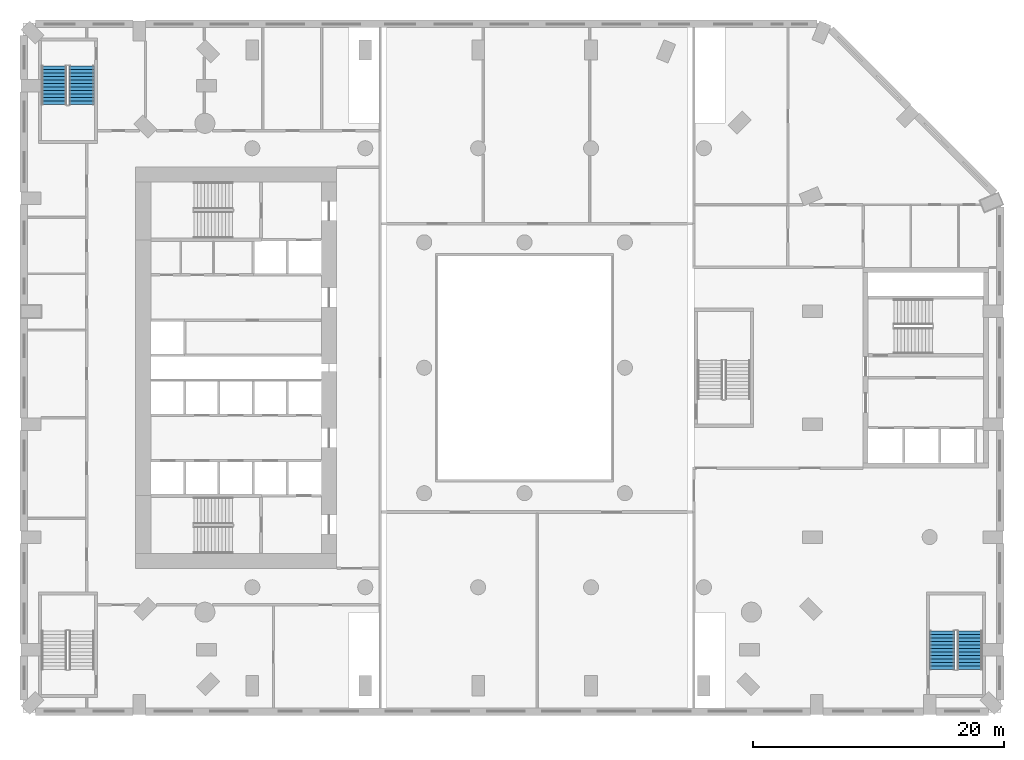
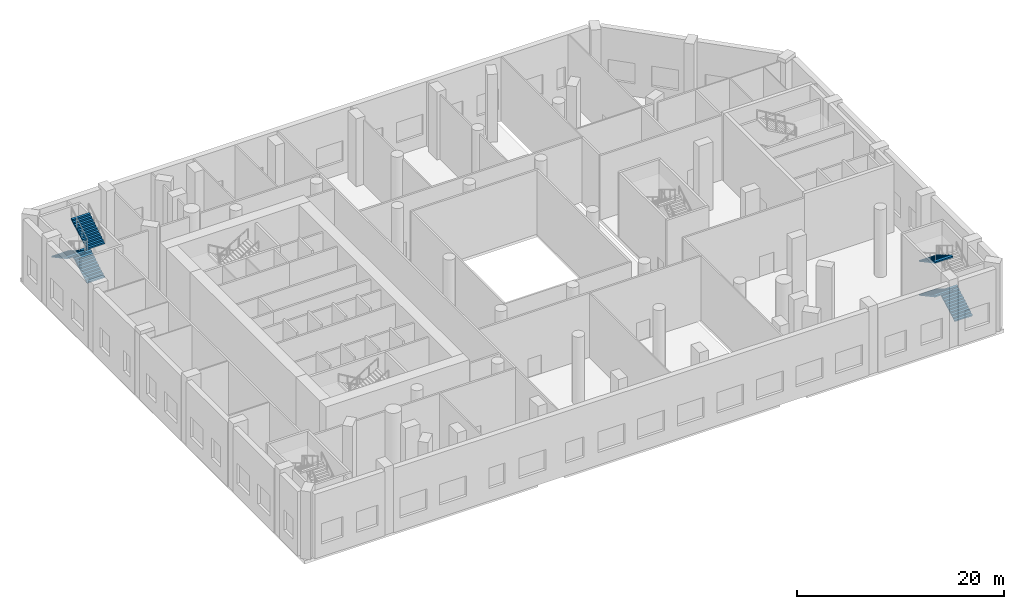
# One storey, part 13 of 18: 6 stair flights, 2 elements without a shape of their own.
"""IFC4 building model written with IfcOpenShell, lengths in metres."""

from ifc_helpers import new_model, si_unit, direction, frame, origin, place, context, subcontext, project, spatial, triangles, material, type_object, element, aggregate, save


model = new_model("IFC4")

# Units and contexts
model_context = context("Model", 3, precision=1e-05, world=origin(), true_north=direction((0.0, 1.0)))
body_context = subcontext(model_context, "Body", "Model", "MODEL_VIEW")
ifc_project = project(units=[si_unit("LENGTHUNIT", "METRE"), si_unit("AREAUNIT", "SQUARE_METRE"), si_unit("VOLUMEUNIT", "CUBIC_METRE"), si_unit("PLANEANGLEUNIT", "RADIAN"), si_unit("MASSUNIT", "GRAM", prefix="KILO")], contexts=[model_context])

# Site, building, storey
site_placement = place(None, origin())
site = spatial("IfcSite", under=ifc_project, at=site_placement, CompositionType="ELEMENT")
building_placement = place(site_placement, origin())
building = spatial("IfcBuilding", under=site, at=building_placement, Name="Cypress Arch Tower", CompositionType="ELEMENT")
storey_placement = place(building_placement, frame((0.0, 0.0, 36.0)))
storey = spatial("IfcBuildingStorey", under=building, at=storey_placement, Name="L04", CompositionType="ELEMENT", Elevation=36.0)

# Stair, stair flights
ifc_material_1 = material(Name="Concrete C40/50", Category="concrete")
stair_type = type_object("IfcStairType", Name="Exit stair ES1667-200", PredefinedType="HALF_TURN_STAIR", material=ifc_material_1)
stair_1_placement = place(storey_placement, origin())
stair_1 = element("IfcStair", 1, at=stair_1_placement, inside=storey, type_object=stair_type, Name="L04 Exit stair P2", PredefinedType="HALF_TURN_STAIR")
ifc_material_2 = material(Name="Concrete C40/50", Category="concrete")
stair_flight_type = type_object("IfcStairFlightType", Name="Exit stair flight ES1667-200", PredefinedType="STRAIGHT", material=ifc_material_2)
stair_flight_1_placement = place(storey_placement, frame((-34.300048828125, 20.969970703125, 2.0), z_axis=(0.0, 0.0, 1.0), x_axis=(0.0, 1.0, 0.0)))
stair_flight_1 = element("IfcStairFlight", 2, at=stair_flight_1_placement, type_object=stair_flight_type, Name="P2 flight 2", NumberOfRisers=12, NumberOfTreads=11, PredefinedType="STRAIGHT", RiserHeight=0.166666667, TreadLength=0.28, context=body_context, shape_type="Tessellation", body=[
    triangles([(0.0, -1.0, 0.0), (0.0, -1.0, 0.166748046875), (0.280029296875, -1.0, 0.166748046875), (0.280029296875, -1.0, 0.333251953125), (0.56005859375, -1.0, 0.333251953125), (0.56005859375, -1.0, 0.5), (0.840087890625, -1.0, 0.5), (0.840087890625, -1.0, 0.666748046875), (1.1201171875, -1.0, 0.666748046875), (1.1201171875, -1.0, 0.833251953125), (1.39990234375, -1.0, 0.833251953125), (1.39990234375, -1.0, 1.0), (1.679931640625, -1.0, 1.0), (1.679931640625, -1.0, 1.166748046875), (1.9599609375, -1.0, 1.166748046875), (1.9599609375, -1.0, 1.333251953125), (2.239990234375, -1.0, 1.333251953125), (2.239990234375, -1.0, 1.5), (2.52001953125, -1.0, 1.5), (2.52001953125, -1.0, 1.666748046875), (2.800048828125, -1.0, 1.666748046875), (2.800048828125, -1.0, 1.833251953125), (3.080078125, -1.0, 1.833251953125), (3.080078125, -1.0, 1.658935546875), (3.080078125, 1.0, 1.658935546875), (3.080078125, 1.0, 1.833251953125), (2.800048828125, 1.0, 1.833251953125), (2.800048828125, 1.0, 1.666748046875), (2.52001953125, 1.0, 1.666748046875), (2.52001953125, 1.0, 1.5), (2.239990234375, 1.0, 1.5), (2.239990234375, 1.0, 1.333251953125), (1.9599609375, 1.0, 1.333251953125), (1.9599609375, 1.0, 1.166748046875), (1.679931640625, 1.0, 1.166748046875), (1.679931640625, 1.0, 1.0), (1.39990234375, 1.0, 1.0), (1.39990234375, 1.0, 0.833251953125), (1.1201171875, 1.0, 0.833251953125), (1.1201171875, 1.0, 0.666748046875), (0.840087890625, 1.0, 0.666748046875), (0.840087890625, 1.0, 0.5), (0.56005859375, 1.0, 0.5), (0.56005859375, 1.0, 0.333251953125), (0.280029296875, 1.0, 0.333251953125), (0.280029296875, 1.0, 0.166748046875), (0.0, 1.0, 0.166748046875), (0.0, 1.0, 0.0), (3.080078125, 0.0, 1.833251953125), (3.080078125, 0.0, 1.658935546875), (2.800048828125, 0.0, 1.833251953125), (2.800048828125, 0.0, 1.666748046875), (2.52001953125, 0.0, 1.666748046875), (2.52001953125, 0.0, 1.5), (2.239990234375, 0.0, 1.5), (2.239990234375, 0.0, 1.333251953125), (1.9599609375, 0.0, 1.333251953125), (1.9599609375, 0.0, 1.166748046875), (1.679931640625, 0.0, 1.166748046875), (1.679931640625, 0.0, 1.0), (1.39990234375, 0.0, 1.0), (1.39990234375, 0.0, 0.833251953125), (1.1201171875, 0.0, 0.833251953125), (1.1201171875, 0.0, 0.666748046875), (0.840087890625, 0.0, 0.666748046875), (0.840087890625, 0.0, 0.5), (0.56005859375, 0.0, 0.5), (0.56005859375, 0.0, 0.333251953125), (0.280029296875, 0.0, 0.333251953125), (0.280029296875, 0.0, 0.166748046875), (0.0, 0.0, 0.166748046875), (0.0, 0.0, 0.0)], [[24, 23, 22], [21, 20, 19], [19, 18, 17], [15, 14, 13], [13, 12, 11], [9, 8, 7], [7, 6, 5], [3, 2, 1], [11, 10, 9], [17, 16, 15], [5, 4, 3], [24, 22, 21], [24, 21, 19], [24, 19, 17], [24, 17, 15], [24, 15, 13], [24, 13, 11], [24, 11, 9], [24, 9, 7], [24, 7, 5], [1, 24, 5], [5, 3, 1], [25, 27, 26], [28, 30, 29], [30, 32, 31], [34, 36, 35], [36, 38, 37], [40, 42, 41], [42, 44, 43], [46, 48, 47], [38, 40, 39], [32, 34, 33], [44, 46, 45], [25, 28, 27], [25, 30, 28], [25, 32, 30], [25, 34, 32], [25, 36, 34], [25, 38, 36], [25, 40, 38], [25, 42, 40], [25, 44, 42], [48, 44, 25], [44, 48, 46], [50, 49, 23], [50, 23, 24], [25, 26, 49], [25, 49, 50], [49, 51, 22], [49, 22, 23], [26, 27, 51], [26, 51, 49], [51, 52, 21], [51, 21, 22], [27, 28, 52], [27, 52, 51], [52, 53, 20], [52, 20, 21], [28, 29, 53], [28, 53, 52], [53, 54, 19], [53, 19, 20], [29, 30, 54], [29, 54, 53], [54, 55, 18], [54, 18, 19], [30, 31, 55], [30, 55, 54], [55, 56, 17], [55, 17, 18], [31, 32, 56], [31, 56, 55], [56, 57, 16], [56, 16, 17], [32, 33, 57], [32, 57, 56], [57, 58, 15], [57, 15, 16], [33, 34, 58], [33, 58, 57], [58, 59, 14], [58, 14, 15], [34, 35, 59], [34, 59, 58], [59, 60, 13], [59, 13, 14], [35, 36, 60], [35, 60, 59], [60, 61, 12], [60, 12, 13], [36, 37, 61], [36, 61, 60], [61, 62, 11], [61, 11, 12], [37, 38, 62], [37, 62, 61], [62, 63, 10], [62, 10, 11], [38, 39, 63], [38, 63, 62], [63, 64, 9], [63, 9, 10], [39, 40, 64], [39, 64, 63], [64, 65, 8], [64, 8, 9], [40, 41, 65], [40, 65, 64], [65, 66, 7], [65, 7, 8], [41, 42, 66], [41, 66, 65], [66, 67, 6], [66, 6, 7], [42, 43, 67], [42, 67, 66], [67, 68, 5], [67, 5, 6], [43, 44, 68], [43, 68, 67], [68, 69, 4], [68, 4, 5], [44, 45, 69], [44, 69, 68], [69, 70, 3], [69, 3, 4], [45, 46, 70], [45, 70, 69], [70, 71, 2], [70, 2, 3], [46, 47, 71], [46, 71, 70], [71, 72, 1], [71, 1, 2], [47, 48, 72], [47, 72, 71], [72, 50, 24], [72, 24, 1], [48, 25, 50], [48, 50, 72]], closed=True),
])
stair_flight_2_placement = place(storey_placement, frame((-36.5, 24.050048828125, 4.0), z_axis=(0.0, 0.0, 1.0), x_axis=(0.0, -1.0, 0.0)))
stair_flight_2 = element("IfcStairFlight", 3, at=stair_flight_2_placement, type_object=stair_flight_type, Name="P2 flight 3", NumberOfRisers=12, NumberOfTreads=11, PredefinedType="STRAIGHT", RiserHeight=0.166666667, TreadLength=0.28, context=body_context, shape_type="Tessellation", body=[
    triangles([(0.0, -1.0, 0.0), (0.0, -1.0, 0.166748046875), (0.280029296875, -1.0, 0.166748046875), (0.280029296875, -1.0, 0.333251953125), (0.56005859375, -1.0, 0.333251953125), (0.56005859375, -1.0, 0.5), (0.840087890625, -1.0, 0.5), (0.840087890625, -1.0, 0.666748046875), (1.1201171875, -1.0, 0.666748046875), (1.1201171875, -1.0, 0.833251953125), (1.39990234375, -1.0, 0.833251953125), (1.39990234375, -1.0, 1.0), (1.679931640625, -1.0, 1.0), (1.679931640625, -1.0, 1.166748046875), (1.9599609375, -1.0, 1.166748046875), (1.9599609375, -1.0, 1.333251953125), (2.239990234375, -1.0, 1.333251953125), (2.239990234375, -1.0, 1.5), (2.52001953125, -1.0, 1.5), (2.52001953125, -1.0, 1.666748046875), (2.800048828125, -1.0, 1.666748046875), (2.800048828125, -1.0, 1.833251953125), (3.080078125, -1.0, 1.833251953125), (3.080078125, -1.0, 1.658935546875), (3.080078125, 1.0, 1.658935546875), (3.080078125, 1.0, 1.833251953125), (2.800048828125, 1.0, 1.833251953125), (2.800048828125, 1.0, 1.666748046875), (2.52001953125, 1.0, 1.666748046875), (2.52001953125, 1.0, 1.5), (2.239990234375, 1.0, 1.5), (2.239990234375, 1.0, 1.333251953125), (1.9599609375, 1.0, 1.333251953125), (1.9599609375, 1.0, 1.166748046875), (1.679931640625, 1.0, 1.166748046875), (1.679931640625, 1.0, 1.0), (1.39990234375, 1.0, 1.0), (1.39990234375, 1.0, 0.833251953125), (1.1201171875, 1.0, 0.833251953125), (1.1201171875, 1.0, 0.666748046875), (0.840087890625, 1.0, 0.666748046875), (0.840087890625, 1.0, 0.5), (0.56005859375, 1.0, 0.5), (0.56005859375, 1.0, 0.333251953125), (0.280029296875, 1.0, 0.333251953125), (0.280029296875, 1.0, 0.166748046875), (0.0, 1.0, 0.166748046875), (0.0, 1.0, 0.0), (3.080078125, 0.0, 1.833251953125), (3.080078125, 0.0, 1.658935546875), (2.800048828125, 0.0, 1.833251953125), (2.800048828125, 0.0, 1.666748046875), (2.52001953125, 0.0, 1.666748046875), (2.52001953125, 0.0, 1.5), (2.239990234375, 0.0, 1.5), (2.239990234375, 0.0, 1.333251953125), (1.9599609375, 0.0, 1.333251953125), (1.9599609375, 0.0, 1.166748046875), (1.679931640625, 0.0, 1.166748046875), (1.679931640625, 0.0, 1.0), (1.39990234375, 0.0, 1.0), (1.39990234375, 0.0, 0.833251953125), (1.1201171875, 0.0, 0.833251953125), (1.1201171875, 0.0, 0.666748046875), (0.840087890625, 0.0, 0.666748046875), (0.840087890625, 0.0, 0.5), (0.56005859375, 0.0, 0.5), (0.56005859375, 0.0, 0.333251953125), (0.280029296875, 0.0, 0.333251953125), (0.280029296875, 0.0, 0.166748046875), (0.0, 0.0, 0.166748046875), (0.0, 0.0, 0.0)], [[24, 23, 22], [21, 20, 19], [19, 18, 17], [15, 14, 13], [13, 12, 11], [9, 8, 7], [7, 6, 5], [3, 2, 1], [11, 10, 9], [17, 16, 15], [5, 4, 3], [24, 22, 21], [24, 21, 19], [24, 19, 17], [24, 17, 15], [24, 15, 13], [24, 13, 11], [24, 11, 9], [24, 9, 7], [24, 7, 5], [1, 24, 5], [5, 3, 1], [25, 27, 26], [28, 30, 29], [30, 32, 31], [34, 36, 35], [36, 38, 37], [40, 42, 41], [42, 44, 43], [46, 48, 47], [38, 40, 39], [32, 34, 33], [44, 46, 45], [25, 28, 27], [25, 30, 28], [25, 32, 30], [25, 34, 32], [25, 36, 34], [25, 38, 36], [25, 40, 38], [25, 42, 40], [25, 44, 42], [48, 44, 25], [44, 48, 46], [50, 49, 23], [50, 23, 24], [25, 26, 49], [25, 49, 50], [49, 51, 22], [49, 22, 23], [26, 27, 51], [26, 51, 49], [51, 52, 21], [51, 21, 22], [27, 28, 52], [27, 52, 51], [52, 53, 20], [52, 20, 21], [28, 29, 53], [28, 53, 52], [53, 54, 19], [53, 19, 20], [29, 30, 54], [29, 54, 53], [54, 55, 18], [54, 18, 19], [30, 31, 55], [30, 55, 54], [55, 56, 17], [55, 17, 18], [31, 32, 56], [31, 56, 55], [56, 57, 16], [56, 16, 17], [32, 33, 57], [32, 57, 56], [57, 58, 15], [57, 15, 16], [33, 34, 58], [33, 58, 57], [58, 59, 14], [58, 14, 15], [34, 35, 59], [34, 59, 58], [59, 60, 13], [59, 13, 14], [35, 36, 60], [35, 60, 59], [60, 61, 12], [60, 12, 13], [36, 37, 61], [36, 61, 60], [61, 62, 11], [61, 11, 12], [37, 38, 62], [37, 62, 61], [62, 63, 10], [62, 10, 11], [38, 39, 63], [38, 63, 62], [63, 64, 9], [63, 9, 10], [39, 40, 64], [39, 64, 63], [64, 65, 8], [64, 8, 9], [40, 41, 65], [40, 65, 64], [65, 66, 7], [65, 7, 8], [41, 42, 66], [41, 66, 65], [66, 67, 6], [66, 6, 7], [42, 43, 67], [42, 67, 66], [67, 68, 5], [67, 5, 6], [43, 44, 68], [43, 68, 67], [68, 69, 4], [68, 4, 5], [44, 45, 69], [44, 69, 68], [69, 70, 3], [69, 3, 4], [45, 46, 70], [45, 70, 69], [70, 71, 2], [70, 2, 3], [46, 47, 71], [46, 71, 70], [71, 72, 1], [71, 1, 2], [47, 48, 72], [47, 72, 71], [72, 50, 24], [72, 24, 1], [48, 25, 50], [48, 50, 72]], closed=True),
])
stair_flight_3_placement = place(storey_placement, frame((-34.300048828125, 20.969970703125, 6.0), z_axis=(0.0, 0.0, 1.0), x_axis=(0.0, 1.0, 0.0)))
stair_flight_3 = element("IfcStairFlight", 4, at=stair_flight_3_placement, type_object=stair_flight_type, Name="P2 flight 4", NumberOfRisers=12, NumberOfTreads=11, PredefinedType="STRAIGHT", RiserHeight=0.166666667, TreadLength=0.28, context=body_context, shape_type="Tessellation", body=[
    triangles([(0.0, -1.0, 0.0), (0.0, -1.0, 0.166748046875), (0.280029296875, -1.0, 0.166748046875), (0.280029296875, -1.0, 0.333251953125), (0.56005859375, -1.0, 0.333251953125), (0.56005859375, -1.0, 0.5), (0.840087890625, -1.0, 0.5), (0.840087890625, -1.0, 0.666748046875), (1.1201171875, -1.0, 0.666748046875), (1.1201171875, -1.0, 0.833251953125), (1.39990234375, -1.0, 0.833251953125), (1.39990234375, -1.0, 1.0), (1.679931640625, -1.0, 1.0), (1.679931640625, -1.0, 1.166748046875), (1.9599609375, -1.0, 1.166748046875), (1.9599609375, -1.0, 1.333251953125), (2.239990234375, -1.0, 1.333251953125), (2.239990234375, -1.0, 1.5), (2.52001953125, -1.0, 1.5), (2.52001953125, -1.0, 1.666748046875), (2.800048828125, -1.0, 1.666748046875), (2.800048828125, -1.0, 1.833251953125), (3.080078125, -1.0, 1.833251953125), (3.080078125, -1.0, 1.658935546875), (3.080078125, 1.0, 1.658935546875), (3.080078125, 1.0, 1.833251953125), (2.800048828125, 1.0, 1.833251953125), (2.800048828125, 1.0, 1.666748046875), (2.52001953125, 1.0, 1.666748046875), (2.52001953125, 1.0, 1.5), (2.239990234375, 1.0, 1.5), (2.239990234375, 1.0, 1.333251953125), (1.9599609375, 1.0, 1.333251953125), (1.9599609375, 1.0, 1.166748046875), (1.679931640625, 1.0, 1.166748046875), (1.679931640625, 1.0, 1.0), (1.39990234375, 1.0, 1.0), (1.39990234375, 1.0, 0.833251953125), (1.1201171875, 1.0, 0.833251953125), (1.1201171875, 1.0, 0.666748046875), (0.840087890625, 1.0, 0.666748046875), (0.840087890625, 1.0, 0.5), (0.56005859375, 1.0, 0.5), (0.56005859375, 1.0, 0.333251953125), (0.280029296875, 1.0, 0.333251953125), (0.280029296875, 1.0, 0.166748046875), (0.0, 1.0, 0.166748046875), (0.0, 1.0, 0.0), (3.080078125, 0.0, 1.833251953125), (3.080078125, 0.0, 1.658935546875), (2.800048828125, 0.0, 1.833251953125), (2.800048828125, 0.0, 1.666748046875), (2.52001953125, 0.0, 1.666748046875), (2.52001953125, 0.0, 1.5), (2.239990234375, 0.0, 1.5), (2.239990234375, 0.0, 1.333251953125), (1.9599609375, 0.0, 1.333251953125), (1.9599609375, 0.0, 1.166748046875), (1.679931640625, 0.0, 1.166748046875), (1.679931640625, 0.0, 1.0), (1.39990234375, 0.0, 1.0), (1.39990234375, 0.0, 0.833251953125), (1.1201171875, 0.0, 0.833251953125), (1.1201171875, 0.0, 0.666748046875), (0.840087890625, 0.0, 0.666748046875), (0.840087890625, 0.0, 0.5), (0.56005859375, 0.0, 0.5), (0.56005859375, 0.0, 0.333251953125), (0.280029296875, 0.0, 0.333251953125), (0.280029296875, 0.0, 0.166748046875), (0.0, 0.0, 0.166748046875), (0.0, 0.0, 0.0)], [[24, 23, 22], [21, 20, 19], [19, 18, 17], [15, 14, 13], [13, 12, 11], [9, 8, 7], [7, 6, 5], [3, 2, 1], [11, 10, 9], [17, 16, 15], [5, 4, 3], [24, 22, 21], [24, 21, 19], [24, 19, 17], [24, 17, 15], [24, 15, 13], [24, 13, 11], [24, 11, 9], [24, 9, 7], [24, 7, 5], [1, 24, 5], [5, 3, 1], [25, 27, 26], [28, 30, 29], [30, 32, 31], [34, 36, 35], [36, 38, 37], [40, 42, 41], [42, 44, 43], [46, 48, 47], [38, 40, 39], [32, 34, 33], [44, 46, 45], [25, 28, 27], [25, 30, 28], [25, 32, 30], [25, 34, 32], [25, 36, 34], [25, 38, 36], [25, 40, 38], [25, 42, 40], [25, 44, 42], [48, 44, 25], [44, 48, 46], [50, 49, 23], [50, 23, 24], [25, 26, 49], [25, 49, 50], [49, 51, 22], [49, 22, 23], [26, 27, 51], [26, 51, 49], [51, 52, 21], [51, 21, 22], [27, 28, 52], [27, 52, 51], [52, 53, 20], [52, 20, 21], [28, 29, 53], [28, 53, 52], [53, 54, 19], [53, 19, 20], [29, 30, 54], [29, 54, 53], [54, 55, 18], [54, 18, 19], [30, 31, 55], [30, 55, 54], [55, 56, 17], [55, 17, 18], [31, 32, 56], [31, 56, 55], [56, 57, 16], [56, 16, 17], [32, 33, 57], [32, 57, 56], [57, 58, 15], [57, 15, 16], [33, 34, 58], [33, 58, 57], [58, 59, 14], [58, 14, 15], [34, 35, 59], [34, 59, 58], [59, 60, 13], [59, 13, 14], [35, 36, 60], [35, 60, 59], [60, 61, 12], [60, 12, 13], [36, 37, 61], [36, 61, 60], [61, 62, 11], [61, 11, 12], [37, 38, 62], [37, 62, 61], [62, 63, 10], [62, 10, 11], [38, 39, 63], [38, 63, 62], [63, 64, 9], [63, 9, 10], [39, 40, 64], [39, 64, 63], [64, 65, 8], [64, 8, 9], [40, 41, 65], [40, 65, 64], [65, 66, 7], [65, 7, 8], [41, 42, 66], [41, 66, 65], [66, 67, 6], [66, 6, 7], [42, 43, 67], [42, 67, 66], [67, 68, 5], [67, 5, 6], [43, 44, 68], [43, 68, 67], [68, 69, 4], [68, 4, 5], [44, 45, 69], [44, 69, 68], [69, 70, 3], [69, 3, 4], [45, 46, 70], [45, 70, 69], [70, 71, 2], [70, 2, 3], [46, 47, 71], [46, 71, 70], [71, 72, 1], [71, 1, 2], [47, 48, 72], [47, 72, 71], [72, 50, 24], [72, 24, 1], [48, 25, 50], [48, 50, 72]], closed=True),
])
aggregate(stair_1, [stair_flight_1, stair_flight_2, stair_flight_3])

stair_2_placement = place(storey_placement, origin())
stair_2 = element("IfcStair", 5, at=stair_2_placement, inside=storey, type_object=stair_type, Name="L04 Exit stair P4", PredefinedType="HALF_TURN_STAIR")
stair_flight_4_placement = place(storey_placement, frame((36.5, -24.050048828125, 0.0), z_axis=(0.0, 0.0, 1.0), x_axis=(0.0, 1.0, 0.0)))
stair_flight_4 = element("IfcStairFlight", 6, at=stair_flight_4_placement, type_object=stair_flight_type, Name="P4 flight 1", NumberOfRisers=12, NumberOfTreads=11, PredefinedType="STRAIGHT", RiserHeight=0.166666667, TreadLength=0.28, context=body_context, shape_type="Tessellation", body=[
    triangles([(0.0, -1.0, 0.0), (0.0, -1.0, 0.166748046875), (0.280029296875, -1.0, 0.166748046875), (0.280029296875, -1.0, 0.333251953125), (0.56005859375, -1.0, 0.333251953125), (0.56005859375, -1.0, 0.5), (0.840087890625, -1.0, 0.5), (0.840087890625, -1.0, 0.666748046875), (1.1201171875, -1.0, 0.666748046875), (1.1201171875, -1.0, 0.833251953125), (1.39990234375, -1.0, 0.833251953125), (1.39990234375, -1.0, 1.0), (1.679931640625, -1.0, 1.0), (1.679931640625, -1.0, 1.166748046875), (1.9599609375, -1.0, 1.166748046875), (1.9599609375, -1.0, 1.333251953125), (2.239990234375, -1.0, 1.333251953125), (2.239990234375, -1.0, 1.5), (2.52001953125, -1.0, 1.5), (2.52001953125, -1.0, 1.666748046875), (2.800048828125, -1.0, 1.666748046875), (2.800048828125, -1.0, 1.833251953125), (3.080078125, -1.0, 1.833251953125), (3.080078125, -1.0, 1.658935546875), (3.080078125, 1.0, 1.658935546875), (3.080078125, 1.0, 1.833251953125), (2.800048828125, 1.0, 1.833251953125), (2.800048828125, 1.0, 1.666748046875), (2.52001953125, 1.0, 1.666748046875), (2.52001953125, 1.0, 1.5), (2.239990234375, 1.0, 1.5), (2.239990234375, 1.0, 1.333251953125), (1.9599609375, 1.0, 1.333251953125), (1.9599609375, 1.0, 1.166748046875), (1.679931640625, 1.0, 1.166748046875), (1.679931640625, 1.0, 1.0), (1.39990234375, 1.0, 1.0), (1.39990234375, 1.0, 0.833251953125), (1.1201171875, 1.0, 0.833251953125), (1.1201171875, 1.0, 0.666748046875), (0.840087890625, 1.0, 0.666748046875), (0.840087890625, 1.0, 0.5), (0.56005859375, 1.0, 0.5), (0.56005859375, 1.0, 0.333251953125), (0.280029296875, 1.0, 0.333251953125), (0.280029296875, 1.0, 0.166748046875), (0.0, 1.0, 0.166748046875), (0.0, 1.0, 0.0), (3.080078125, 0.0, 1.833251953125), (3.080078125, 0.0, 1.658935546875), (2.800048828125, 0.0, 1.833251953125), (2.800048828125, 0.0, 1.666748046875), (2.52001953125, 0.0, 1.666748046875), (2.52001953125, 0.0, 1.5), (2.239990234375, 0.0, 1.5), (2.239990234375, 0.0, 1.333251953125), (1.9599609375, 0.0, 1.333251953125), (1.9599609375, 0.0, 1.166748046875), (1.679931640625, 0.0, 1.166748046875), (1.679931640625, 0.0, 1.0), (1.39990234375, 0.0, 1.0), (1.39990234375, 0.0, 0.833251953125), (1.1201171875, 0.0, 0.833251953125), (1.1201171875, 0.0, 0.666748046875), (0.840087890625, 0.0, 0.666748046875), (0.840087890625, 0.0, 0.5), (0.56005859375, 0.0, 0.5), (0.56005859375, 0.0, 0.333251953125), (0.280029296875, 0.0, 0.333251953125), (0.280029296875, 0.0, 0.166748046875), (0.0, 0.0, 0.166748046875), (0.0, 0.0, 0.0)], [[24, 23, 22], [21, 20, 19], [19, 18, 17], [15, 14, 13], [13, 12, 11], [9, 8, 7], [7, 6, 5], [3, 2, 1], [11, 10, 9], [17, 16, 15], [5, 4, 3], [24, 22, 21], [24, 21, 19], [24, 19, 17], [24, 17, 15], [24, 15, 13], [24, 13, 11], [24, 11, 9], [24, 9, 7], [24, 7, 5], [1, 24, 5], [5, 3, 1], [25, 27, 26], [28, 30, 29], [30, 32, 31], [34, 36, 35], [36, 38, 37], [40, 42, 41], [42, 44, 43], [46, 48, 47], [38, 40, 39], [32, 34, 33], [44, 46, 45], [25, 28, 27], [25, 30, 28], [25, 32, 30], [25, 34, 32], [25, 36, 34], [25, 38, 36], [25, 40, 38], [25, 42, 40], [25, 44, 42], [48, 44, 25], [44, 48, 46], [50, 49, 23], [50, 23, 24], [25, 26, 49], [25, 49, 50], [49, 51, 22], [49, 22, 23], [26, 27, 51], [26, 51, 49], [51, 52, 21], [51, 21, 22], [27, 28, 52], [27, 52, 51], [52, 53, 20], [52, 20, 21], [28, 29, 53], [28, 53, 52], [53, 54, 19], [53, 19, 20], [29, 30, 54], [29, 54, 53], [54, 55, 18], [54, 18, 19], [30, 31, 55], [30, 55, 54], [55, 56, 17], [55, 17, 18], [31, 32, 56], [31, 56, 55], [56, 57, 16], [56, 16, 17], [32, 33, 57], [32, 57, 56], [57, 58, 15], [57, 15, 16], [33, 34, 58], [33, 58, 57], [58, 59, 14], [58, 14, 15], [34, 35, 59], [34, 59, 58], [59, 60, 13], [59, 13, 14], [35, 36, 60], [35, 60, 59], [60, 61, 12], [60, 12, 13], [36, 37, 61], [36, 61, 60], [61, 62, 11], [61, 11, 12], [37, 38, 62], [37, 62, 61], [62, 63, 10], [62, 10, 11], [38, 39, 63], [38, 63, 62], [63, 64, 9], [63, 9, 10], [39, 40, 64], [39, 64, 63], [64, 65, 8], [64, 8, 9], [40, 41, 65], [40, 65, 64], [65, 66, 7], [65, 7, 8], [41, 42, 66], [41, 66, 65], [66, 67, 6], [66, 6, 7], [42, 43, 67], [42, 67, 66], [67, 68, 5], [67, 5, 6], [43, 44, 68], [43, 68, 67], [68, 69, 4], [68, 4, 5], [44, 45, 69], [44, 69, 68], [69, 70, 3], [69, 3, 4], [45, 46, 70], [45, 70, 69], [70, 71, 2], [70, 2, 3], [46, 47, 71], [46, 71, 70], [71, 72, 1], [71, 1, 2], [47, 48, 72], [47, 72, 71], [72, 50, 24], [72, 24, 1], [48, 25, 50], [48, 50, 72]], closed=True),
])
stair_flight_5_placement = place(storey_placement, frame((34.300048828125, -20.969970703125, 2.0), z_axis=(0.0, 0.0, 1.0), x_axis=(0.0, -1.0, 0.0)))
stair_flight_5 = element("IfcStairFlight", 7, at=stair_flight_5_placement, type_object=stair_flight_type, Name="P4 flight 2", NumberOfRisers=12, NumberOfTreads=11, PredefinedType="STRAIGHT", RiserHeight=0.166666667, TreadLength=0.28, context=body_context, shape_type="Tessellation", body=[
    triangles([(0.0, -1.0, 0.0), (0.0, -1.0, 0.166748046875), (0.280029296875, -1.0, 0.166748046875), (0.280029296875, -1.0, 0.333251953125), (0.56005859375, -1.0, 0.333251953125), (0.56005859375, -1.0, 0.5), (0.840087890625, -1.0, 0.5), (0.840087890625, -1.0, 0.666748046875), (1.1201171875, -1.0, 0.666748046875), (1.1201171875, -1.0, 0.833251953125), (1.39990234375, -1.0, 0.833251953125), (1.39990234375, -1.0, 1.0), (1.679931640625, -1.0, 1.0), (1.679931640625, -1.0, 1.166748046875), (1.9599609375, -1.0, 1.166748046875), (1.9599609375, -1.0, 1.333251953125), (2.239990234375, -1.0, 1.333251953125), (2.239990234375, -1.0, 1.5), (2.52001953125, -1.0, 1.5), (2.52001953125, -1.0, 1.666748046875), (2.800048828125, -1.0, 1.666748046875), (2.800048828125, -1.0, 1.833251953125), (3.080078125, -1.0, 1.833251953125), (3.080078125, -1.0, 1.658935546875), (3.080078125, 1.0, 1.658935546875), (3.080078125, 1.0, 1.833251953125), (2.800048828125, 1.0, 1.833251953125), (2.800048828125, 1.0, 1.666748046875), (2.52001953125, 1.0, 1.666748046875), (2.52001953125, 1.0, 1.5), (2.239990234375, 1.0, 1.5), (2.239990234375, 1.0, 1.333251953125), (1.9599609375, 1.0, 1.333251953125), (1.9599609375, 1.0, 1.166748046875), (1.679931640625, 1.0, 1.166748046875), (1.679931640625, 1.0, 1.0), (1.39990234375, 1.0, 1.0), (1.39990234375, 1.0, 0.833251953125), (1.1201171875, 1.0, 0.833251953125), (1.1201171875, 1.0, 0.666748046875), (0.840087890625, 1.0, 0.666748046875), (0.840087890625, 1.0, 0.5), (0.56005859375, 1.0, 0.5), (0.56005859375, 1.0, 0.333251953125), (0.280029296875, 1.0, 0.333251953125), (0.280029296875, 1.0, 0.166748046875), (0.0, 1.0, 0.166748046875), (0.0, 1.0, 0.0), (3.080078125, 0.0, 1.833251953125), (3.080078125, 0.0, 1.658935546875), (2.800048828125, 0.0, 1.833251953125), (2.800048828125, 0.0, 1.666748046875), (2.52001953125, 0.0, 1.666748046875), (2.52001953125, 0.0, 1.5), (2.239990234375, 0.0, 1.5), (2.239990234375, 0.0, 1.333251953125), (1.9599609375, 0.0, 1.333251953125), (1.9599609375, 0.0, 1.166748046875), (1.679931640625, 0.0, 1.166748046875), (1.679931640625, 0.0, 1.0), (1.39990234375, 0.0, 1.0), (1.39990234375, 0.0, 0.833251953125), (1.1201171875, 0.0, 0.833251953125), (1.1201171875, 0.0, 0.666748046875), (0.840087890625, 0.0, 0.666748046875), (0.840087890625, 0.0, 0.5), (0.56005859375, 0.0, 0.5), (0.56005859375, 0.0, 0.333251953125), (0.280029296875, 0.0, 0.333251953125), (0.280029296875, 0.0, 0.166748046875), (0.0, 0.0, 0.166748046875), (0.0, 0.0, 0.0)], [[24, 23, 22], [21, 20, 19], [19, 18, 17], [15, 14, 13], [13, 12, 11], [9, 8, 7], [7, 6, 5], [3, 2, 1], [11, 10, 9], [17, 16, 15], [5, 4, 3], [24, 22, 21], [24, 21, 19], [24, 19, 17], [24, 17, 15], [24, 15, 13], [24, 13, 11], [24, 11, 9], [24, 9, 7], [24, 7, 5], [1, 24, 5], [5, 3, 1], [25, 27, 26], [28, 30, 29], [30, 32, 31], [34, 36, 35], [36, 38, 37], [40, 42, 41], [42, 44, 43], [46, 48, 47], [38, 40, 39], [32, 34, 33], [44, 46, 45], [25, 28, 27], [25, 30, 28], [25, 32, 30], [25, 34, 32], [25, 36, 34], [25, 38, 36], [25, 40, 38], [25, 42, 40], [25, 44, 42], [48, 44, 25], [44, 48, 46], [50, 49, 23], [50, 23, 24], [25, 26, 49], [25, 49, 50], [49, 51, 22], [49, 22, 23], [26, 27, 51], [26, 51, 49], [51, 52, 21], [51, 21, 22], [27, 28, 52], [27, 52, 51], [52, 53, 20], [52, 20, 21], [28, 29, 53], [28, 53, 52], [53, 54, 19], [53, 19, 20], [29, 30, 54], [29, 54, 53], [54, 55, 18], [54, 18, 19], [30, 31, 55], [30, 55, 54], [55, 56, 17], [55, 17, 18], [31, 32, 56], [31, 56, 55], [56, 57, 16], [56, 16, 17], [32, 33, 57], [32, 57, 56], [57, 58, 15], [57, 15, 16], [33, 34, 58], [33, 58, 57], [58, 59, 14], [58, 14, 15], [34, 35, 59], [34, 59, 58], [59, 60, 13], [59, 13, 14], [35, 36, 60], [35, 60, 59], [60, 61, 12], [60, 12, 13], [36, 37, 61], [36, 61, 60], [61, 62, 11], [61, 11, 12], [37, 38, 62], [37, 62, 61], [62, 63, 10], [62, 10, 11], [38, 39, 63], [38, 63, 62], [63, 64, 9], [63, 9, 10], [39, 40, 64], [39, 64, 63], [64, 65, 8], [64, 8, 9], [40, 41, 65], [40, 65, 64], [65, 66, 7], [65, 7, 8], [41, 42, 66], [41, 66, 65], [66, 67, 6], [66, 6, 7], [42, 43, 67], [42, 67, 66], [67, 68, 5], [67, 5, 6], [43, 44, 68], [43, 68, 67], [68, 69, 4], [68, 4, 5], [44, 45, 69], [44, 69, 68], [69, 70, 3], [69, 3, 4], [45, 46, 70], [45, 70, 69], [70, 71, 2], [70, 2, 3], [46, 47, 71], [46, 71, 70], [71, 72, 1], [71, 1, 2], [47, 48, 72], [47, 72, 71], [72, 50, 24], [72, 24, 1], [48, 25, 50], [48, 50, 72]], closed=True),
])
stair_flight_6_placement = place(storey_placement, frame((34.300048828125, -20.969970703125, 6.0), z_axis=(0.0, 0.0, 1.0), x_axis=(0.0, -1.0, 0.0)))
stair_flight_6 = element("IfcStairFlight", 8, at=stair_flight_6_placement, type_object=stair_flight_type, Name="P4 flight 4", NumberOfRisers=12, NumberOfTreads=11, PredefinedType="STRAIGHT", RiserHeight=0.166666667, TreadLength=0.28, context=body_context, shape_type="Tessellation", body=[
    triangles([(0.0, -1.0, 0.0), (0.0, -1.0, 0.166748046875), (0.280029296875, -1.0, 0.166748046875), (0.280029296875, -1.0, 0.333251953125), (0.56005859375, -1.0, 0.333251953125), (0.56005859375, -1.0, 0.5), (0.840087890625, -1.0, 0.5), (0.840087890625, -1.0, 0.666748046875), (1.1201171875, -1.0, 0.666748046875), (1.1201171875, -1.0, 0.833251953125), (1.39990234375, -1.0, 0.833251953125), (1.39990234375, -1.0, 1.0), (1.679931640625, -1.0, 1.0), (1.679931640625, -1.0, 1.166748046875), (1.9599609375, -1.0, 1.166748046875), (1.9599609375, -1.0, 1.333251953125), (2.239990234375, -1.0, 1.333251953125), (2.239990234375, -1.0, 1.5), (2.52001953125, -1.0, 1.5), (2.52001953125, -1.0, 1.666748046875), (2.800048828125, -1.0, 1.666748046875), (2.800048828125, -1.0, 1.833251953125), (3.080078125, -1.0, 1.833251953125), (3.080078125, -1.0, 1.658935546875), (3.080078125, 1.0, 1.658935546875), (3.080078125, 1.0, 1.833251953125), (2.800048828125, 1.0, 1.833251953125), (2.800048828125, 1.0, 1.666748046875), (2.52001953125, 1.0, 1.666748046875), (2.52001953125, 1.0, 1.5), (2.239990234375, 1.0, 1.5), (2.239990234375, 1.0, 1.333251953125), (1.9599609375, 1.0, 1.333251953125), (1.9599609375, 1.0, 1.166748046875), (1.679931640625, 1.0, 1.166748046875), (1.679931640625, 1.0, 1.0), (1.39990234375, 1.0, 1.0), (1.39990234375, 1.0, 0.833251953125), (1.1201171875, 1.0, 0.833251953125), (1.1201171875, 1.0, 0.666748046875), (0.840087890625, 1.0, 0.666748046875), (0.840087890625, 1.0, 0.5), (0.56005859375, 1.0, 0.5), (0.56005859375, 1.0, 0.333251953125), (0.280029296875, 1.0, 0.333251953125), (0.280029296875, 1.0, 0.166748046875), (0.0, 1.0, 0.166748046875), (0.0, 1.0, 0.0), (3.080078125, 0.0, 1.833251953125), (3.080078125, 0.0, 1.658935546875), (2.800048828125, 0.0, 1.833251953125), (2.800048828125, 0.0, 1.666748046875), (2.52001953125, 0.0, 1.666748046875), (2.52001953125, 0.0, 1.5), (2.239990234375, 0.0, 1.5), (2.239990234375, 0.0, 1.333251953125), (1.9599609375, 0.0, 1.333251953125), (1.9599609375, 0.0, 1.166748046875), (1.679931640625, 0.0, 1.166748046875), (1.679931640625, 0.0, 1.0), (1.39990234375, 0.0, 1.0), (1.39990234375, 0.0, 0.833251953125), (1.1201171875, 0.0, 0.833251953125), (1.1201171875, 0.0, 0.666748046875), (0.840087890625, 0.0, 0.666748046875), (0.840087890625, 0.0, 0.5), (0.56005859375, 0.0, 0.5), (0.56005859375, 0.0, 0.333251953125), (0.280029296875, 0.0, 0.333251953125), (0.280029296875, 0.0, 0.166748046875), (0.0, 0.0, 0.166748046875), (0.0, 0.0, 0.0)], [[24, 23, 22], [21, 20, 19], [19, 18, 17], [15, 14, 13], [13, 12, 11], [9, 8, 7], [7, 6, 5], [3, 2, 1], [11, 10, 9], [17, 16, 15], [5, 4, 3], [24, 22, 21], [24, 21, 19], [24, 19, 17], [24, 17, 15], [24, 15, 13], [24, 13, 11], [24, 11, 9], [24, 9, 7], [24, 7, 5], [1, 24, 5], [5, 3, 1], [25, 27, 26], [28, 30, 29], [30, 32, 31], [34, 36, 35], [36, 38, 37], [40, 42, 41], [42, 44, 43], [46, 48, 47], [38, 40, 39], [32, 34, 33], [44, 46, 45], [25, 28, 27], [25, 30, 28], [25, 32, 30], [25, 34, 32], [25, 36, 34], [25, 38, 36], [25, 40, 38], [25, 42, 40], [25, 44, 42], [48, 44, 25], [44, 48, 46], [50, 49, 23], [50, 23, 24], [25, 26, 49], [25, 49, 50], [49, 51, 22], [49, 22, 23], [26, 27, 51], [26, 51, 49], [51, 52, 21], [51, 21, 22], [27, 28, 52], [27, 52, 51], [52, 53, 20], [52, 20, 21], [28, 29, 53], [28, 53, 52], [53, 54, 19], [53, 19, 20], [29, 30, 54], [29, 54, 53], [54, 55, 18], [54, 18, 19], [30, 31, 55], [30, 55, 54], [55, 56, 17], [55, 17, 18], [31, 32, 56], [31, 56, 55], [56, 57, 16], [56, 16, 17], [32, 33, 57], [32, 57, 56], [57, 58, 15], [57, 15, 16], [33, 34, 58], [33, 58, 57], [58, 59, 14], [58, 14, 15], [34, 35, 59], [34, 59, 58], [59, 60, 13], [59, 13, 14], [35, 36, 60], [35, 60, 59], [60, 61, 12], [60, 12, 13], [36, 37, 61], [36, 61, 60], [61, 62, 11], [61, 11, 12], [37, 38, 62], [37, 62, 61], [62, 63, 10], [62, 10, 11], [38, 39, 63], [38, 63, 62], [63, 64, 9], [63, 9, 10], [39, 40, 64], [39, 64, 63], [64, 65, 8], [64, 8, 9], [40, 41, 65], [40, 65, 64], [65, 66, 7], [65, 7, 8], [41, 42, 66], [41, 66, 65], [66, 67, 6], [66, 6, 7], [42, 43, 67], [42, 67, 66], [67, 68, 5], [67, 5, 6], [43, 44, 68], [43, 68, 67], [68, 69, 4], [68, 4, 5], [44, 45, 69], [44, 69, 68], [69, 70, 3], [69, 3, 4], [45, 46, 70], [45, 70, 69], [70, 71, 2], [70, 2, 3], [46, 47, 71], [46, 71, 70], [71, 72, 1], [71, 1, 2], [47, 48, 72], [47, 72, 71], [72, 50, 24], [72, 24, 1], [48, 25, 50], [48, 50, 72]], closed=True),
])
aggregate(stair_2, [stair_flight_4, stair_flight_5, stair_flight_6])

save(model, "model.ifc")
